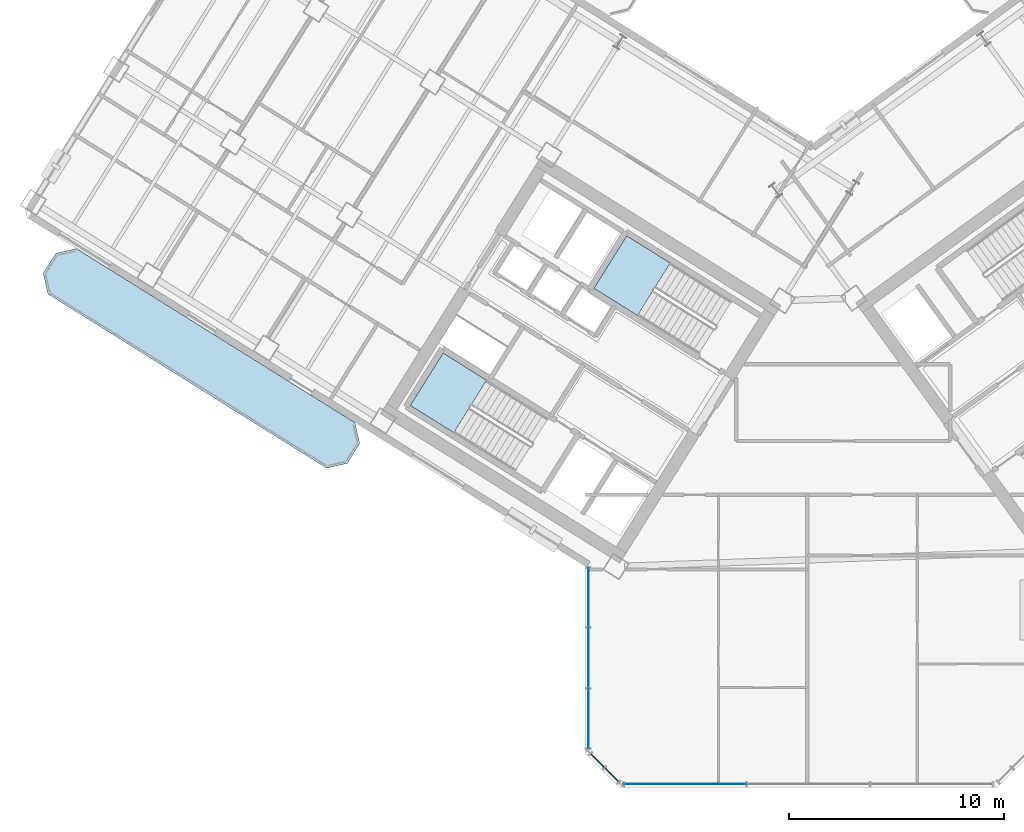
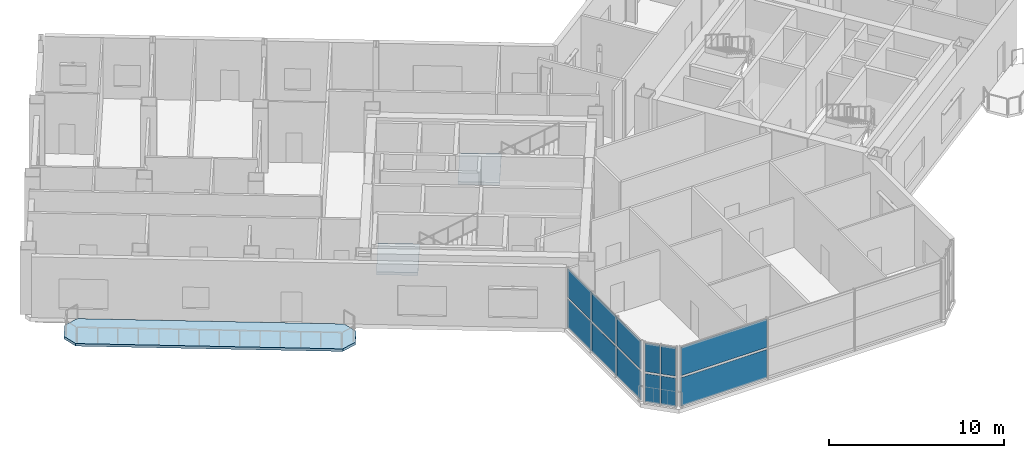
# One storey, part 8 of 21: 12 plates, 3 slabs, 5 elements without a shape of their own.
"""IFC4 building model written with IfcOpenShell, lengths in metres."""

from ifc_helpers import new_model, si_unit, direction, frame, origin, origin_2d, place, context, subcontext, project, spatial, polyline, rectangle, outline, extrude, source, transform, mapped, material, layer, layer_set, type_object, element, aggregate, save


model = new_model("IFC4")

# Units and contexts
model_context = context("Model", 3, precision=1e-05, world=origin(), true_north=direction((0.0, 1.0)))
body_context = subcontext(model_context, "Body", "Model", "MODEL_VIEW")
ifc_project = project(units=[si_unit("LENGTHUNIT", "METRE"), si_unit("AREAUNIT", "SQUARE_METRE"), si_unit("VOLUMEUNIT", "CUBIC_METRE"), si_unit("PLANEANGLEUNIT", "RADIAN"), si_unit("MASSUNIT", "GRAM", prefix="KILO")], contexts=[model_context])

# Site, building, storey
site_placement = place(None, origin())
site = spatial("IfcSite", under=ifc_project, at=site_placement, CompositionType="ELEMENT")
building_placement = place(site_placement, origin())
building = spatial("IfcBuilding", under=site, at=building_placement, Name="Tlacorven Tower", CompositionType="ELEMENT")
storey_placement = place(building_placement, frame((0.0, 0.0, 100.800048828125)))
storey = spatial("IfcBuildingStorey", under=building, at=storey_placement, Name="L25", CompositionType="ELEMENT", Elevation=100.800048828125)

# Slab
ifc_material_1 = material(Name="Precast concrete C45/55", Category="concrete")
ifc_layer_1 = layer(ifc_material_1, 0.179931640625)
ifc_layer_set_1 = layer_set([ifc_layer_1], Name="Precast concrete C45/55")
slab_type_1 = type_object("IfcSlabType", Name="SL-BAL-180", PredefinedType="USERDEFINED", material=ifc_layer_set_1)
slab_1_placement = place(storey_placement, frame((0.0, 0.0, -0.179931640625)))
element("IfcSlab", 1, at=slab_1_placement, inside=storey, type_object=slab_type_1, Name="L25 West Wing Balcony Ribbon OUT", ObjectType="BALCONY SLAB", PredefinedType="USERDEFINED", context=body_context, shape_type="SweptSolid", body=[
    extrude(outline(polyline([(20.88671875, 18.78271484375), (7.91162109375, 26.890625), (6.947021484375, 26.66796875), (6.366943359375, 25.7392578125), (6.589599609375, 24.774658203125), (19.564697265625, 16.6669921875), (20.529296875, 16.8896484375), (21.109375, 17.818115234375), (20.88671875, 18.78271484375)])), origin(), (0.0, 0.0, 1.0), 0.179931640625),
])

# Stair, slab
ifc_material_2 = material(Name="Concrete C40/50", Category="concrete")
stair_type = type_object("IfcStairType", Name="ST-CORE-DLG", PredefinedType="HALF_TURN_STAIR", material=ifc_material_2)
stair_1_placement = place(storey_placement, origin())
stair_1 = element("IfcStair", 2, at=stair_1_placement, inside=storey, type_object=stair_type, Name="L25 Protected Exit Stair West 1", PredefinedType="HALF_TURN_STAIR")
ifc_layer_2 = layer(ifc_material_2, 0.199951171875)
ifc_layer_set_2 = layer_set([ifc_layer_2], Name="Concrete C40/50")
slab_type_2 = type_object("IfcSlabType", Name="SL-LND-200", PredefinedType="LANDING", material=ifc_layer_set_2)
slab_2_placement = place(storey_placement, frame((0.0, 0.0, 2.050048828125)))
slab_2 = element("IfcSlab", 3, at=slab_2_placement, type_object=slab_type_2, Name="ST-W1 landing 1", PredefinedType="LANDING", context=body_context, shape_type="SweptSolid", body=[
    extrude(outline(polyline([(27.01611328125, 20.76025390625), (24.9892578125, 22.02685546875), (23.463134765625, 19.58447265625), (25.489990234375, 18.31787109375), (27.01611328125, 20.76025390625)])), origin(), (0.0, 0.0, 1.0), 0.199951171875),
])
aggregate(stair_1, [slab_2])

stair_2_placement = place(storey_placement, origin())
stair_2 = element("IfcStair", 4, at=stair_2_placement, inside=storey, type_object=stair_type, Name="L25 Protected Exit Stair West 2", PredefinedType="HALF_TURN_STAIR")
slab_3_placement = place(storey_placement, frame((0.0, 0.0, 2.050048828125)))
slab_3 = element("IfcSlab", 5, at=slab_3_placement, type_object=slab_type_2, Name="ST-W2 landing 1", PredefinedType="LANDING", context=body_context, shape_type="SweptSolid", body=[
    extrude(outline(polyline([(35.567626953125, 26.218017578125), (33.540771484375, 27.484375), (32.0146484375, 25.0419921875), (34.04150390625, 23.775634765625), (35.567626953125, 26.218017578125)])), origin(), (0.0, 0.0, 1.0), 0.199951171875),
])
aggregate(stair_2, [slab_3])

# Curtain wall, plates
ifc_material_3 = material(Name="Dark solar low-E double glazing in aluminium frame", Category="aluminium")
curtain_wall_type = type_object("IfcCurtainWallType", Name="CW-COM-AMENITY", PredefinedType="USERDEFINED", material=ifc_material_3)
curtain_wall_1_placement = place(storey_placement, origin())
curtain_wall_1 = element("IfcCurtainWall", 6, at=curtain_wall_1_placement, inside=storey, type_object=curtain_wall_type, Name="L25 CW-COM-AMENITY Curtain Wall 129", ObjectType="UNITISED CURTAIN WALL", PredefinedType="USERDEFINED")
ifc_material_4 = material(Name="Dark solar acoustic laminated low-E glazing", Category="glass")
ifc_layer_3 = layer(ifc_material_4, 0.035888671875)
ifc_layer_set_3 = layer_set([ifc_layer_3], Name="Dark solar acoustic laminated low-E glazing")
plate_type = type_object("IfcPlateType", Name="CWP-01", PredefinedType="CURTAIN_PANEL", material=ifc_layer_set_3)
shared_shape_1 = source(origin(), body_context, "Body", "SweptSolid", [
    extrude(rectangle(XDim=0.878173828125, YDim=0.035888671875, at=origin_2d()), origin(), (0.0, 0.0, 1.0), 1.98291015625),
])
plate_1_placement = place(storey_placement, frame((32.842041015625, 2.38427734375, 0.071044921875), z_axis=(0.0, 0.0, 1.0), x_axis=(-0.707106781187, 0.707106781187, 0.0)))
plate_1 = element("IfcPlate", 7, at=plate_1_placement, type_object=plate_type, Name="CW-L25-129 Glazing Panel 1", PredefinedType="CURTAIN_PANEL", context=body_context, shape_type="MappedRepresentation", body=[
    mapped(shared_shape_1, transform((0.0, 0.0, 0.0), scale=1.0)),
])
plate_2_placement = place(storey_placement, frame((32.842041015625, 2.38427734375, 2.196044921875), z_axis=(0.0, 0.0, 1.0), x_axis=(-0.707106781187, 0.707106781187, 0.0)))
plate_2 = element("IfcPlate", 8, at=plate_2_placement, type_object=plate_type, Name="CW-L25-129 Glazing Panel 2", PredefinedType="CURTAIN_PANEL", context=body_context, shape_type="MappedRepresentation", body=[
    mapped(shared_shape_1, transform((0.0, 0.0, 0.0), scale=1.0)),
])
plate_3_placement = place(storey_placement, frame((32.184326171875, 3.0419921875, 0.071044921875), z_axis=(0.0, 0.0, 1.0), x_axis=(-0.707106781187, 0.707106781187, 0.0)))
plate_3 = element("IfcPlate", 9, at=plate_3_placement, type_object=plate_type, Name="CW-L25-129 Glazing Panel 3", PredefinedType="CURTAIN_PANEL", context=body_context, shape_type="MappedRepresentation", body=[
    mapped(shared_shape_1, transform((0.0, 0.0, 0.0), scale=1.0)),
])
plate_4_placement = place(storey_placement, frame((32.184326171875, 3.0419921875, 2.196044921875), z_axis=(0.0, 0.0, 1.0), x_axis=(-0.707106781187, 0.707106781187, 0.0)))
plate_4 = element("IfcPlate", 10, at=plate_4_placement, type_object=plate_type, Name="CW-L25-129 Glazing Panel 4", PredefinedType="CURTAIN_PANEL", context=body_context, shape_type="MappedRepresentation", body=[
    mapped(shared_shape_1, transform((0.0, 0.0, 0.0), scale=1.0)),
])
aggregate(curtain_wall_1, [plate_1, plate_2, plate_3, plate_4])

curtain_wall_2_placement = place(storey_placement, origin())
curtain_wall_2 = element("IfcCurtainWall", 11, at=curtain_wall_2_placement, inside=storey, type_object=curtain_wall_type, Name="L25 CW-COM-AMENITY Curtain Wall 128", ObjectType="UNITISED CURTAIN WALL", PredefinedType="USERDEFINED")
shared_shape_2 = source(origin(), body_context, "Body", "SweptSolid", [
    extrude(rectangle(XDim=5.668701171875, YDim=0.035888671875, at=origin_2d()), origin(), (0.0, 0.0, 1.0), 1.98291015625),
])
plate_5_placement = place(storey_placement, frame((36.26171875, 1.9599609375, 0.071044921875), z_axis=(0.0, 0.0, 1.0), x_axis=(-1.0, 0.0, 0.0)))
plate_5 = element("IfcPlate", 12, at=plate_5_placement, type_object=plate_type, Name="CW-L25-128 Glazing Panel 5", PredefinedType="CURTAIN_PANEL", context=body_context, shape_type="MappedRepresentation", body=[
    mapped(shared_shape_2, transform((0.0, 0.0, 0.0), scale=1.0)),
])
plate_6_placement = place(storey_placement, frame((36.26171875, 1.9599609375, 2.196044921875), z_axis=(0.0, 0.0, 1.0), x_axis=(-1.0, 0.0, 0.0)))
plate_6 = element("IfcPlate", 13, at=plate_6_placement, type_object=plate_type, Name="CW-L25-128 Glazing Panel 6", PredefinedType="CURTAIN_PANEL", context=body_context, shape_type="MappedRepresentation", body=[
    mapped(shared_shape_2, transform((0.0, 0.0, 0.0), scale=1.0)),
])
aggregate(curtain_wall_2, [plate_5, plate_6])

curtain_wall_3_placement = place(storey_placement, origin())
curtain_wall_3 = element("IfcCurtainWall", 14, at=curtain_wall_3_placement, inside=storey, type_object=curtain_wall_type, Name="L25 CW-COM-AMENITY Curtain Wall 130", ObjectType="UNITISED CURTAIN WALL", PredefinedType="USERDEFINED")
shared_shape_3 = source(origin(), body_context, "Body", "SweptSolid", [
    extrude(rectangle(XDim=2.751953125, YDim=0.035888671875, at=origin_2d()), origin(), (0.0, 0.0, 1.0), 1.98291015625),
])
plate_7_placement = place(storey_placement, frame((31.760009765625, 5.003173828125, 0.071044921875), z_axis=(0.0, 0.0, 1.0), x_axis=(0.0, 1.0, 0.0)))
plate_7 = element("IfcPlate", 15, at=plate_7_placement, type_object=plate_type, Name="CW-L25-130 Glazing Panel 1", PredefinedType="CURTAIN_PANEL", context=body_context, shape_type="MappedRepresentation", body=[
    mapped(shared_shape_3, transform((0.0, 0.0, 0.0), scale=1.0)),
])
plate_8_placement = place(storey_placement, frame((31.760009765625, 5.003173828125, 2.196044921875), z_axis=(0.0, 0.0, 1.0), x_axis=(0.0, 1.0, 0.0)))
plate_8 = element("IfcPlate", 16, at=plate_8_placement, type_object=plate_type, Name="CW-L25-130 Glazing Panel 2", PredefinedType="CURTAIN_PANEL", context=body_context, shape_type="MappedRepresentation", body=[
    mapped(shared_shape_3, transform((0.0, 0.0, 0.0), scale=1.0)),
])
plate_9_placement = place(storey_placement, frame((31.760009765625, 10.64599609375, 0.071044921875), z_axis=(0.0, 0.0, 1.0), x_axis=(0.0, 1.0, 0.0)))
plate_9 = element("IfcPlate", 17, at=plate_9_placement, type_object=plate_type, Name="CW-L25-130 Glazing Panel 5", PredefinedType="CURTAIN_PANEL", context=body_context, shape_type="MappedRepresentation", body=[
    mapped(shared_shape_3, transform((0.0, 0.0, 0.0), scale=1.0)),
])
plate_10_placement = place(storey_placement, frame((31.760009765625, 10.64599609375, 2.196044921875), z_axis=(0.0, 0.0, 1.0), x_axis=(0.0, 1.0, 0.0)))
plate_10 = element("IfcPlate", 18, at=plate_10_placement, type_object=plate_type, Name="CW-L25-130 Glazing Panel 6", PredefinedType="CURTAIN_PANEL", context=body_context, shape_type="MappedRepresentation", body=[
    mapped(shared_shape_3, transform((0.0, 0.0, 0.0), scale=1.0)),
])
shared_shape_4 = source(origin(), body_context, "Body", "SweptSolid", [
    extrude(rectangle(XDim=2.786865234375, YDim=0.035888671875, at=origin_2d()), origin(), (0.0, 0.0, 1.0), 1.98291015625),
])
plate_11_placement = place(storey_placement, frame((31.760009765625, 7.82470703125, 0.071044921875), z_axis=(0.0, 0.0, 1.0), x_axis=(0.0, 1.0, 0.0)))
plate_11 = element("IfcPlate", 19, at=plate_11_placement, type_object=plate_type, Name="CW-L25-130 Glazing Panel 3", PredefinedType="CURTAIN_PANEL", context=body_context, shape_type="MappedRepresentation", body=[
    mapped(shared_shape_4, transform((0.0, 0.0, 0.0), scale=1.0)),
])
plate_12_placement = place(storey_placement, frame((31.760009765625, 7.82470703125, 2.196044921875), z_axis=(0.0, 0.0, 1.0), x_axis=(0.0, 1.0, 0.0)))
plate_12 = element("IfcPlate", 20, at=plate_12_placement, type_object=plate_type, Name="CW-L25-130 Glazing Panel 4", PredefinedType="CURTAIN_PANEL", context=body_context, shape_type="MappedRepresentation", body=[
    mapped(shared_shape_4, transform((0.0, 0.0, 0.0), scale=1.0)),
])
aggregate(curtain_wall_3, [plate_7, plate_8, plate_11, plate_12, plate_9, plate_10])

save(model, "model.ifc")
